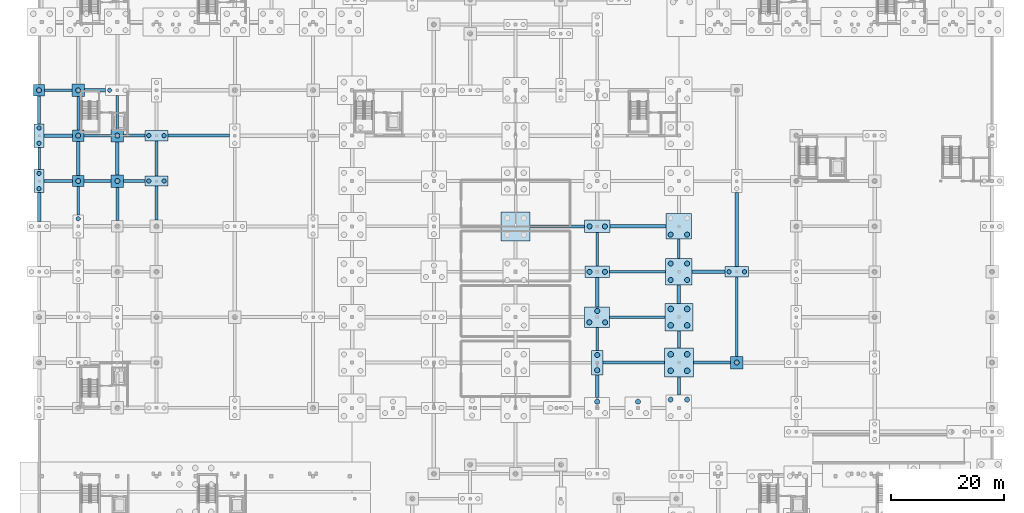
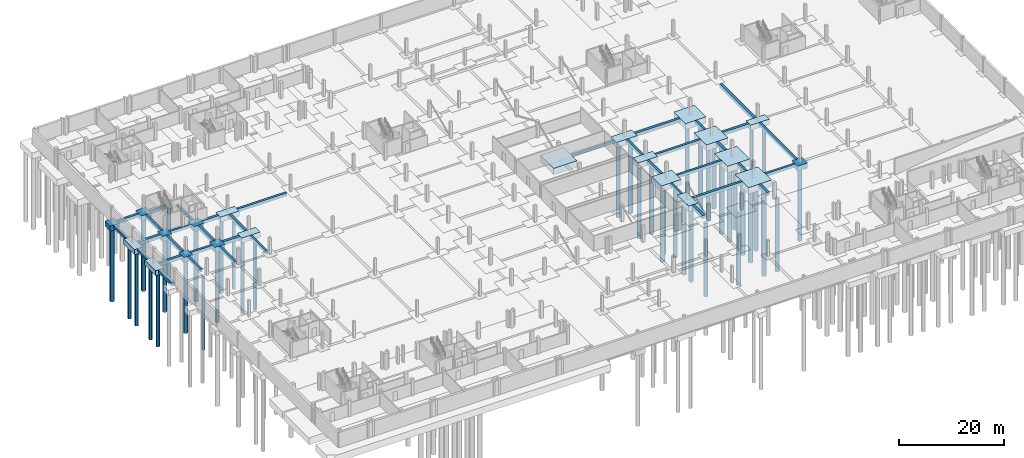
# One storey, part 4 of 38: 58 footings, 46 piles.
"""IFC4 building model written with IfcOpenShell, lengths in metres."""

from ifc_helpers import new_model, si_unit, direction, frame, origin, origin_2d, place, context, subcontext, project, spatial, rectangle, circle, extrude, material, material_profile, profile_set, type_object, element, save


model = new_model("IFC4")

# Units and contexts
model_context = context("Model", 3, precision=1e-05, world=origin(), true_north=direction((0.0, 1.0)))
body_context = subcontext(model_context, "Body", "Model", "MODEL_VIEW")
ifc_project = project(units=[si_unit("LENGTHUNIT", "METRE"), si_unit("AREAUNIT", "SQUARE_METRE"), si_unit("VOLUMEUNIT", "CUBIC_METRE"), si_unit("PLANEANGLEUNIT", "RADIAN"), si_unit("MASSUNIT", "GRAM", prefix="KILO")], contexts=[model_context])

# Site, building, storey
site_placement = place(None, origin())
site = spatial("IfcSite", under=ifc_project, at=site_placement, CompositionType="ELEMENT")
building_placement = place(site_placement, origin())
building = spatial("IfcBuilding", under=site, at=building_placement, Name="Zavelmont Quarter", CompositionType="ELEMENT")
storey_placement = place(building_placement, frame((0.0, 0.0, -3.800048828125)))
storey = spatial("IfcBuildingStorey", under=building, at=storey_placement, Name="B01", CompositionType="ELEMENT", Elevation=-3.800048828125)

# Footings
ifc_material = material(Name="Concrete C35/45", Category="concrete")
footing_type_1 = type_object("IfcFootingType", Name="GB01", PredefinedType="FOOTING_BEAM", material=ifc_material)
footing_1_placement = place(storey_placement, frame((118.625, 38.0, -0.69970703125), z_axis=(0.0, 0.0, 1.0), x_axis=(1.0, 0.0, 0.0)))
element("IfcFooting", 1, at=footing_1_placement, inside=storey, type_object=footing_type_1, Name="B01 ground beam GB01 at 18/G", PredefinedType="FOOTING_BEAM", context=body_context, shape_type="SweptSolid", body=[
    extrude(rectangle(XDim=6.550048828125, YDim=0.5, at=origin_2d()), origin(), (0.0, 0.0, 1.0), 0.699951171875),
])
footing_2_placement = place(storey_placement, frame((105.47509765625, 46.0, -0.69970703125), z_axis=(0.0, 0.0, 1.0), x_axis=(1.0, 0.0, 0.0)))
element("IfcFooting", 2, at=footing_2_placement, inside=storey, type_object=footing_type_1, Name="B01 ground beam GB01 at 16/H", PredefinedType="FOOTING_BEAM", context=body_context, shape_type="SweptSolid", body=[
    extrude(rectangle(XDim=9.75, YDim=0.5, at=origin_2d()), origin(), (0.0, 0.0, 1.0), 0.699951171875),
])
footing_3_placement = place(storey_placement, frame((105.5, 54.0, -0.69970703125), z_axis=(0.0, 0.0, 1.0), x_axis=(1.0, 0.0, 0.0)))
element("IfcFooting", 3, at=footing_3_placement, inside=storey, type_object=footing_type_1, Name="B01 ground beam GB01 at 16/J", PredefinedType="FOOTING_BEAM", context=body_context, shape_type="SweptSolid", body=[
    extrude(rectangle(XDim=9.89990234375, YDim=0.5, at=origin_2d()), origin(), (0.0, 0.0, 1.0), 0.699951171875),
])
footing_4_placement = place(storey_placement, frame((91.35009765625, 62.0, -0.69970703125), z_axis=(0.0, 0.0, 1.0), x_axis=(1.0, 0.0, 0.0)))
element("IfcFooting", 4, at=footing_4_placement, inside=storey, type_object=footing_type_1, Name="B01 ground beam GB01 at 14/K", PredefinedType="FOOTING_BEAM", context=body_context, shape_type="SweptSolid", body=[
    extrude(rectangle(XDim=9.60009765625, YDim=0.5, at=origin_2d()), origin(), (0.0, 0.0, 1.0), 0.699951171875),
])
footing_5_placement = place(storey_placement, frame((10.300048828125, 70.0, -0.69970703125), z_axis=(0.0, 0.0, 1.0), x_axis=(1.0, 0.0, 0.0)))
element("IfcFooting", 5, at=footing_5_placement, inside=storey, type_object=footing_type_1, Name="B01 ground beam GB01 at 2/L", PredefinedType="FOOTING_BEAM", context=body_context, shape_type="SweptSolid", body=[
    extrude(rectangle(XDim=4.800048828125, YDim=0.5, at=origin_2d()), origin(), (0.0, 0.0, 1.0), 0.699951171875),
])
footing_6_placement = place(storey_placement, frame((28.175048828125, 78.0, -0.69970703125), z_axis=(0.0, 0.0, 1.0), x_axis=(1.0, 0.0, 0.0)))
element("IfcFooting", 6, at=footing_6_placement, inside=storey, type_object=footing_type_1, Name="B01 ground beam GB01 at 5/M", PredefinedType="FOOTING_BEAM", context=body_context, shape_type="SweptSolid", body=[
    extrude(rectangle(XDim=10.85009765625, YDim=0.5, at=origin_2d()), origin(), (0.0, 0.0, 1.0), 0.699951171875),
])
footing_7_placement = place(storey_placement, frame((3.39990234375, 86.0, -0.69970703125), z_axis=(0.0, 0.0, 1.0), x_axis=(1.0, 0.0, 0.0)))
element("IfcFooting", 7, at=footing_7_placement, inside=storey, type_object=footing_type_1, Name="B01 ground beam GB01 at 1/N", PredefinedType="FOOTING_BEAM", context=body_context, shape_type="SweptSolid", body=[
    extrude(rectangle(XDim=4.800048828125, YDim=0.5, at=origin_2d()), origin(), (0.0, 0.0, 1.0), 0.699951171875),
])
for number, where, z_axis, x_axis, name in (
    (8, (6.89990234375, 81.949951171875, -0.69970703125), (0.0, 0.0, 1.0), (0.0, 1.0, 0.0), "B01 ground beam GB01 at 2/M"),
    (9, (13.800048828125, 65.949951171875, -0.69970703125), (0.0, 0.0, 1.0), (0.0, 1.0, 0.0), "B01 ground beam GB01 at 3/K"),
    (10, (98.39990234375, 57.949951171875, -0.69970703125), (0.0, 0.0, 1.0), (0.0, 1.0, 0.0), "B01 ground beam GB01 at 15/J"),
):
    element("IfcFooting", number, at=place(storey_placement, frame(where, z_axis=z_axis, x_axis=x_axis)), inside=storey, type_object=footing_type_1, Name=name, PredefinedType="FOOTING_BEAM", context=body_context, shape_type="SweptSolid", body=[
        extrude(rectangle(XDim=5.89990234375, YDim=0.5, at=origin_2d()), origin(), (0.0, 0.0, 1.0), 0.699951171875),
    ])
footing_8_placement = place(storey_placement, frame((112.800048828125, 42.050048828125, -0.69970703125), z_axis=(0.0, 0.0, 1.0), x_axis=(0.0, 1.0, 0.0)))
element("IfcFooting", 11, at=footing_8_placement, inside=storey, type_object=footing_type_1, Name="B01 ground beam GB01 at 17/H", PredefinedType="FOOTING_BEAM", context=body_context, shape_type="SweptSolid", body=[
    extrude(rectangle(XDim=3.0, YDim=0.5, at=origin_2d()), origin(), (0.0, 0.0, 1.0), 0.699951171875),
])
footing_9_placement = place(storey_placement, frame((123.0, 46.10009765625, -0.69970703125), z_axis=(0.0, 0.0, 1.0), x_axis=(0.0, 1.0, 0.0)))
element("IfcFooting", 12, at=footing_9_placement, inside=storey, type_object=footing_type_1, Name="B01 ground beam GB01 at 18/H", PredefinedType="FOOTING_BEAM", context=body_context, shape_type="SweptSolid", body=[
    extrude(rectangle(XDim=14.0, YDim=0.5, at=origin_2d()), origin(), (0.0, 0.0, 1.0), 0.699951171875),
])
footing_type_2 = type_object("IfcFootingType", Name="GB02", PredefinedType="FOOTING_BEAM", material=ifc_material)
footing_10_placement = place(storey_placement, frame((118.050048828125, 54.0, -0.7998046875), z_axis=(0.0, 0.0, 1.0), x_axis=(1.0, 0.0, 0.0)))
element("IfcFooting", 13, at=footing_10_placement, inside=storey, type_object=footing_type_2, Name="B01 ground beam GB02 at 18/J", PredefinedType="FOOTING_BEAM", context=body_context, shape_type="SweptSolid", body=[
    extrude(rectangle(XDim=5.800048828125, YDim=0.60009765625, at=origin_2d()), origin(), (0.0, 0.0, 1.0), 0.800048828125),
])
footing_11_placement = place(storey_placement, frame((105.60009765625, 62.0, -0.7998046875), z_axis=(0.0, 0.0, 1.0), x_axis=(1.0, 0.0, 0.0)))
element("IfcFooting", 14, at=footing_11_placement, inside=storey, type_object=footing_type_2, Name="B01 ground beam GB02 at 16/K", PredefinedType="FOOTING_BEAM", context=body_context, shape_type="SweptSolid", body=[
    extrude(rectangle(XDim=9.89990234375, YDim=0.60009765625, at=origin_2d()), origin(), (0.0, 0.0, 1.0), 0.800048828125),
])
footing_12_placement = place(storey_placement, frame((16.77490234375, 70.0, -0.7998046875), z_axis=(0.0, 0.0, 1.0), x_axis=(1.0, 0.0, 0.0)))
element("IfcFooting", 15, at=footing_12_placement, inside=storey, type_object=footing_type_2, Name="B01 ground beam GB02 at 3/L", PredefinedType="FOOTING_BEAM", context=body_context, shape_type="SweptSolid", body=[
    extrude(rectangle(XDim=3.75, YDim=0.60009765625, at=origin_2d()), origin(), (0.0, 0.0, 1.0), 0.800048828125),
])
footing_13_placement = place(storey_placement, frame((3.39990234375, 78.0, -0.7998046875), z_axis=(0.0, 0.0, 1.0), x_axis=(1.0, 0.0, 0.0)))
element("IfcFooting", 16, at=footing_13_placement, inside=storey, type_object=footing_type_2, Name="B01 ground beam GB02 at 1/M", PredefinedType="FOOTING_BEAM", context=body_context, shape_type="SweptSolid", body=[
    extrude(rectangle(XDim=5.0, YDim=0.60009765625, at=origin_2d()), origin(), (0.0, 0.0, 1.0), 0.800048828125),
])
footing_14_placement = place(storey_placement, frame((9.875, 86.0, -0.7998046875), z_axis=(0.0, 0.0, 1.0), x_axis=(1.0, 0.0, 0.0)))
element("IfcFooting", 17, at=footing_14_placement, inside=storey, type_object=footing_type_2, Name="B01 ground beam GB02 at 2/N", PredefinedType="FOOTING_BEAM", context=body_context, shape_type="SweptSolid", body=[
    extrude(rectangle(XDim=3.75, YDim=0.60009765625, at=origin_2d()), origin(), (0.0, 0.0, 1.0), 0.800048828125),
])
footing_15_placement = place(storey_placement, frame((0.0, 65.425048828125, -0.7998046875), z_axis=(0.0, 0.0, 1.0), x_axis=(0.0, 1.0, 0.0)))
element("IfcFooting", 18, at=footing_15_placement, inside=storey, type_object=footing_type_2, Name="B01 ground beam GB02 at 1/K", PredefinedType="FOOTING_BEAM", context=body_context, shape_type="SweptSolid", body=[
    extrude(rectangle(XDim=5.050048828125, YDim=0.60009765625, at=origin_2d()), origin(), (0.0, 0.0, 1.0), 0.800048828125),
])
footing_16_placement = place(storey_placement, frame((13.800048828125, 74.0, -0.7998046875), z_axis=(0.0, 0.0, 1.0), x_axis=(0.0, 1.0, 0.0)))
element("IfcFooting", 19, at=footing_16_placement, inside=storey, type_object=footing_type_2, Name="B01 ground beam GB02 at 3/L", PredefinedType="FOOTING_BEAM", context=body_context, shape_type="SweptSolid", body=[
    extrude(rectangle(XDim=5.800048828125, YDim=0.60009765625, at=origin_2d()), origin(), (0.0, 0.0, 1.0), 0.800048828125),
])
footing_17_placement = place(storey_placement, frame((98.39990234375, 33.824951171875, -0.7998046875), z_axis=(0.0, 0.0, 1.0), x_axis=(0.0, 1.0, 0.0)))
element("IfcFooting", 20, at=footing_17_placement, inside=storey, type_object=footing_type_2, Name="B01 ground beam GB02 at 15/F", PredefinedType="FOOTING_BEAM", context=body_context, shape_type="SweptSolid", body=[
    extrude(rectangle(XDim=4.050048828125, YDim=0.60009765625, at=origin_2d()), origin(), (0.0, 0.0, 1.0), 0.800048828125),
])
footing_18_placement = place(storey_placement, frame((112.800048828125, 50.050048828125, -0.7998046875), z_axis=(0.0, 0.0, 1.0), x_axis=(0.0, 1.0, 0.0)))
element("IfcFooting", 21, at=footing_18_placement, inside=storey, type_object=footing_type_2, Name="B01 ground beam GB02 at 17/J", PredefinedType="FOOTING_BEAM", context=body_context, shape_type="SweptSolid", body=[
    extrude(rectangle(XDim=3.199951171875, YDim=0.60009765625, at=origin_2d()), origin(), (0.0, 0.0, 1.0), 0.800048828125),
])
footing_19_placement = place(storey_placement, frame((123.0, 61.425048828125, -0.7998046875), z_axis=(0.0, 0.0, 1.0), x_axis=(0.0, 1.0, 0.0)))
element("IfcFooting", 22, at=footing_19_placement, inside=storey, type_object=footing_type_2, Name="B01 ground beam GB02 at 18/K", PredefinedType="FOOTING_BEAM", context=body_context, shape_type="SweptSolid", body=[
    extrude(rectangle(XDim=13.050048828125, YDim=0.60009765625, at=origin_2d()), origin(), (0.0, 0.0, 1.0), 0.800048828125),
])
footing_type_3 = type_object("IfcFootingType", Name="GB03", PredefinedType="FOOTING_BEAM", material=ifc_material)
footing_20_placement = place(storey_placement, frame((10.300048828125, 78.0, -0.64990234375), z_axis=(0.0, 0.0, 1.0), x_axis=(1.0, 0.0, 0.0)))
element("IfcFooting", 23, at=footing_20_placement, inside=storey, type_object=footing_type_3, Name="B01 ground beam GB03 at 2/M", PredefinedType="FOOTING_BEAM", context=body_context, shape_type="SweptSolid", body=[
    extrude(rectangle(XDim=4.800048828125, YDim=0.449951171875, at=origin_2d()), origin(), (0.0, 0.0, 1.0), 0.64990234375),
])
footing_21_placement = place(storey_placement, frame((0.0, 74.0, -0.64990234375), z_axis=(0.0, 0.0, 1.0), x_axis=(0.0, 1.0, 0.0)))
element("IfcFooting", 24, at=footing_21_placement, inside=storey, type_object=footing_type_3, Name="B01 ground beam GB03 at 1/L", PredefinedType="FOOTING_BEAM", context=body_context, shape_type="SweptSolid", body=[
    extrude(rectangle(XDim=3.89990234375, YDim=0.449951171875, at=origin_2d()), origin(), (0.0, 0.0, 1.0), 0.64990234375),
])
footing_22_placement = place(storey_placement, frame((6.89990234375, 66.52490234375, -0.64990234375), z_axis=(0.0, 0.0, 1.0), x_axis=(0.0, 1.0, 0.0)))
element("IfcFooting", 25, at=footing_22_placement, inside=storey, type_object=footing_type_3, Name="B01 ground beam GB03 at 2/L", PredefinedType="FOOTING_BEAM", context=body_context, shape_type="SweptSolid", body=[
    extrude(rectangle(XDim=4.949951171875, YDim=0.449951171875, at=origin_2d()), origin(), (0.0, 0.0, 1.0), 0.64990234375),
])
for number, where, z_axis, x_axis, name in (
    (26, (13.800048828125, 82.10009765625, -0.64990234375), (0.0, 0.0, 1.0), (0.0, 1.0, 0.0), "B01 ground beam GB03 at 3/N"),
    (27, (20.699951171875, 66.10009765625, -0.64990234375), (0.0, 0.0, 1.0), (0.0, 1.0, 0.0), "B01 ground beam GB03 at 4/L"),
):
    element("IfcFooting", number, at=place(storey_placement, frame(where, z_axis=z_axis, x_axis=x_axis)), inside=storey, type_object=footing_type_3, Name=name, PredefinedType="FOOTING_BEAM", context=body_context, shape_type="SweptSolid", body=[
        extrude(rectangle(XDim=6.0, YDim=0.449951171875, at=origin_2d()), origin(), (0.0, 0.0, 1.0), 0.64990234375),
    ])
footing_23_placement = place(storey_placement, frame((98.39990234375, 42.175048828125, -0.64990234375), z_axis=(0.0, 0.0, 1.0), x_axis=(0.0, 1.0, 0.0)))
element("IfcFooting", 28, at=footing_23_placement, inside=storey, type_object=footing_type_3, Name="B01 ground beam GB03 at 15/H", PredefinedType="FOOTING_BEAM", context=body_context, shape_type="SweptSolid", body=[
    extrude(rectangle(XDim=4.050048828125, YDim=0.449951171875, at=origin_2d()), origin(), (0.0, 0.0, 1.0), 0.64990234375),
])
footing_24_placement = place(storey_placement, frame((112.800048828125, 58.050048828125, -0.64990234375), z_axis=(0.0, 0.0, 1.0), x_axis=(0.0, 1.0, 0.0)))
element("IfcFooting", 29, at=footing_24_placement, inside=storey, type_object=footing_type_3, Name="B01 ground beam GB03 at 17/K", PredefinedType="FOOTING_BEAM", context=body_context, shape_type="SweptSolid", body=[
    extrude(rectangle(XDim=3.39990234375, YDim=0.449951171875, at=origin_2d()), origin(), (0.0, 0.0, 1.0), 0.64990234375),
])
footing_type_4 = type_object("IfcFootingType", Name="GB04", PredefinedType="FOOTING_BEAM", material=ifc_material)
footing_25_placement = place(storey_placement, frame((104.824951171875, 38.0, -0.75), z_axis=(0.0, 0.0, 1.0), x_axis=(1.0, 0.0, 0.0)))
element("IfcFooting", 30, at=footing_25_placement, inside=storey, type_object=footing_type_4, Name="B01 ground beam GB04 at 16/G", PredefinedType="FOOTING_BEAM", context=body_context, shape_type="SweptSolid", body=[
    extrude(rectangle(XDim=10.85009765625, YDim=0.550048828125, at=origin_2d()), origin(), (0.0, 0.0, 1.0), 0.75),
])
footing_26_placement = place(storey_placement, frame((3.39990234375, 70.0, -0.75), z_axis=(0.0, 0.0, 1.0), x_axis=(1.0, 0.0, 0.0)))
element("IfcFooting", 31, at=footing_26_placement, inside=storey, type_object=footing_type_4, Name="B01 ground beam GB04 at 1/L", PredefinedType="FOOTING_BEAM", context=body_context, shape_type="SweptSolid", body=[
    extrude(rectangle(XDim=5.0, YDim=0.550048828125, at=origin_2d()), origin(), (0.0, 0.0, 1.0), 0.75),
])
footing_27_placement = place(storey_placement, frame((16.77490234375, 78.0, -0.75), z_axis=(0.0, 0.0, 1.0), x_axis=(1.0, 0.0, 0.0)))
element("IfcFooting", 32, at=footing_27_placement, inside=storey, type_object=footing_type_4, Name="B01 ground beam GB04 at 3/M", PredefinedType="FOOTING_BEAM", context=body_context, shape_type="SweptSolid", body=[
    extrude(rectangle(XDim=3.75, YDim=0.550048828125, at=origin_2d()), origin(), (0.0, 0.0, 1.0), 0.75),
])
footing_28_placement = place(storey_placement, frame((0.0, 82.52490234375, -0.75), z_axis=(0.0, 0.0, 1.0), x_axis=(0.0, 1.0, 0.0)))
element("IfcFooting", 33, at=footing_28_placement, inside=storey, type_object=footing_type_4, Name="B01 ground beam GB04 at 1/N", PredefinedType="FOOTING_BEAM", context=body_context, shape_type="SweptSolid", body=[
    extrude(rectangle(XDim=4.949951171875, YDim=0.550048828125, at=origin_2d()), origin(), (0.0, 0.0, 1.0), 0.75),
])
footing_29_placement = place(storey_placement, frame((6.89990234375, 74.0, -0.75), z_axis=(0.0, 0.0, 1.0), x_axis=(0.0, 1.0, 0.0)))
element("IfcFooting", 34, at=footing_29_placement, inside=storey, type_object=footing_type_4, Name="B01 ground beam GB04 at 2/L", PredefinedType="FOOTING_BEAM", context=body_context, shape_type="SweptSolid", body=[
    extrude(rectangle(XDim=6.0, YDim=0.550048828125, at=origin_2d()), origin(), (0.0, 0.0, 1.0), 0.75),
])
footing_30_placement = place(storey_placement, frame((20.699951171875, 74.0, -0.75), z_axis=(0.0, 0.0, 1.0), x_axis=(0.0, 1.0, 0.0)))
element("IfcFooting", 35, at=footing_30_placement, inside=storey, type_object=footing_type_4, Name="B01 ground beam GB04 at 4/L", PredefinedType="FOOTING_BEAM", context=body_context, shape_type="SweptSolid", body=[
    extrude(rectangle(XDim=6.199951171875, YDim=0.550048828125, at=origin_2d()), origin(), (0.0, 0.0, 1.0), 0.75),
])
footing_31_placement = place(storey_placement, frame((98.39990234375, 50.39990234375, -0.75), z_axis=(0.0, 0.0, 1.0), x_axis=(0.0, 1.0, 0.0)))
element("IfcFooting", 36, at=footing_31_placement, inside=storey, type_object=footing_type_4, Name="B01 ground beam GB04 at 15/J", PredefinedType="FOOTING_BEAM", context=body_context, shape_type="SweptSolid", body=[
    extrude(rectangle(XDim=5.199951171875, YDim=0.550048828125, at=origin_2d()), origin(), (0.0, 0.0, 1.0), 0.75),
])
footing_32_placement = place(storey_placement, frame((112.800048828125, 33.85009765625, -0.75), z_axis=(0.0, 0.0, 1.0), x_axis=(0.0, 1.0, 0.0)))
element("IfcFooting", 37, at=footing_32_placement, inside=storey, type_object=footing_type_4, Name="B01 ground beam GB04 at 17/F", PredefinedType="FOOTING_BEAM", context=body_context, shape_type="SweptSolid", body=[
    extrude(rectangle(XDim=3.199951171875, YDim=0.550048828125, at=origin_2d()), origin(), (0.0, 0.0, 1.0), 0.75),
])

# Piles
ifc_material_profile_1 = material_profile(ifc_material, circle(Radius=0.5, at=origin_2d()), Name="BP1000")
ifc_profile_set_1 = profile_set([ifc_material_profile_1], Name="Concrete C35/45")
pile_type_1 = type_object("IfcPileType", Name="P01", PredefinedType="BORED", material=ifc_profile_set_1)
for number, where, z_axis, x_axis, name in (
    (38, (111.35009765625, 36.550048828125, -1.39990234375), (0.0, 0.0, -1.0), (1.0, 0.0, 0.0), "B01 bored pile P01 under CAP-074.1"),
    (39, (114.25, 36.550048828125, -1.39990234375), (0.0, 0.0, -1.0), (1.0, 0.0, 0.0), "B01 bored pile P01 under CAP-074.2"),
    (40, (114.25, 39.449951171875, -1.39990234375), (0.0, 0.0, -1.0), (1.0, 0.0, 0.0), "B01 bored pile P01 under CAP-074.3"),
    (41, (111.35009765625, 39.449951171875, -1.39990234375), (0.0, 0.0, -1.0), (1.0, 0.0, 0.0), "B01 bored pile P01 under CAP-074.4"),
    (42, (111.35009765625, 44.550048828125, -1.39990234375), (0.0, 0.0, -1.0), (1.0, 0.0, 0.0), "B01 bored pile P01 under CAP-089.1"),
    (43, (114.25, 44.550048828125, -1.39990234375), (0.0, 0.0, -1.0), (1.0, 0.0, 0.0), "B01 bored pile P01 under CAP-089.2"),
    (44, (114.25, 47.449951171875, -1.39990234375), (0.0, 0.0, -1.0), (1.0, 0.0, 0.0), "B01 bored pile P01 under CAP-089.3"),
    (45, (111.35009765625, 47.449951171875, -1.39990234375), (0.0, 0.0, -1.0), (1.0, 0.0, 0.0), "B01 bored pile P01 under CAP-089.4"),
):
    element("IfcPile", number, at=place(storey_placement, frame(where, z_axis=z_axis, x_axis=x_axis)), inside=storey, type_object=pile_type_1, Name=name, PredefinedType="BORED", context=body_context, shape_type="SweptSolid", body=[
        extrude(circle(Radius=0.5, at=origin_2d()), origin(), (0.0, 0.0, 1.0), 16.800048828125),
    ])
ifc_material_profile_2 = material_profile(ifc_material, circle(Radius=0.449951171875, at=origin_2d()), Name="BP900")
ifc_profile_set_2 = profile_set([ifc_material_profile_2], Name="Concrete C35/45")
pile_type_2 = type_object("IfcPileType", Name="P02", PredefinedType="BORED", material=ifc_profile_set_2)
for number, where, z_axis, x_axis, name in (
    (46, (105.60009765625, 31.10009765625, -1.300048828125), (0.0, 0.0, -1.0), (1.0, 0.0, 0.0), "B01 bored pile P02 under CAP-062.3"),
    (47, (114.25, 31.449951171875, -1.300048828125), (0.0, 0.0, -1.0), (1.0, 0.0, 0.0), "B01 bored pile P02 under CAP-063.3"),
    (48, (111.35009765625, 31.449951171875, -1.300048828125), (0.0, 0.0, -1.0), (1.0, 0.0, 0.0), "B01 bored pile P02 under CAP-063.4"),
    (49, (111.35009765625, 52.550048828125, -1.300048828125), (0.0, 0.0, -1.0), (1.0, 0.0, 0.0), "B01 bored pile P02 under CAP-101.1"),
    (50, (114.25, 52.550048828125, -1.300048828125), (0.0, 0.0, -1.0), (1.0, 0.0, 0.0), "B01 bored pile P02 under CAP-101.2"),
    (51, (114.25, 55.449951171875, -1.300048828125), (0.0, 0.0, -1.0), (1.0, 0.0, 0.0), "B01 bored pile P02 under CAP-101.3"),
    (52, (111.35009765625, 55.449951171875, -1.300048828125), (0.0, 0.0, -1.0), (1.0, 0.0, 0.0), "B01 bored pile P02 under CAP-101.4"),
    (53, (111.35009765625, 60.550048828125, -1.300048828125), (0.0, 0.0, -1.0), (1.0, 0.0, 0.0), "B01 bored pile P02 under CAP-116.1"),
    (54, (114.25, 60.550048828125, -1.300048828125), (0.0, 0.0, -1.0), (1.0, 0.0, 0.0), "B01 bored pile P02 under CAP-116.2"),
):
    element("IfcPile", number, at=place(storey_placement, frame(where, z_axis=z_axis, x_axis=x_axis)), inside=storey, type_object=pile_type_2, Name=name, PredefinedType="BORED", context=body_context, shape_type="SweptSolid", body=[
        extrude(circle(Radius=0.449951171875, at=origin_2d()), origin(), (0.0, 0.0, 1.0), 16.89990234375),
    ])
ifc_material_profile_3 = material_profile(ifc_material, circle(Radius=0.449951171875, at=origin_2d()), Name="BP900")
ifc_profile_set_3 = profile_set([ifc_material_profile_3], Name="Concrete C35/45")
pile_type_3 = type_object("IfcPileType", Name="P03", PredefinedType="BORED", material=ifc_profile_set_3)
for number, where, z_axis, x_axis, name in (
    (55, (98.39990234375, 31.10009765625, -1.199951171875), (0.0, 0.0, -1.0), (1.0, 0.0, 0.0), "B01 bored pile P03 under CAP-061.3"),
    (56, (98.39990234375, 36.64990234375, -1.199951171875), (0.0, 0.0, -1.0), (1.0, 0.0, 0.0), "B01 bored pile P03 under CAP-073.1"),
    (57, (98.39990234375, 39.35009765625, -1.199951171875), (0.0, 0.0, -1.0), (1.0, 0.0, 0.0), "B01 bored pile P03 under CAP-073.2"),
    (58, (97.0, 45.10009765625, -1.199951171875), (0.0, 0.0, -1.0), (1.0, 0.0, 0.0), "B01 bored pile P03 under CAP-088.1"),
    (59, (99.800048828125, 45.10009765625, -1.199951171875), (0.0, 0.0, -1.0), (1.0, 0.0, 0.0), "B01 bored pile P03 under CAP-088.2"),
    (60, (98.39990234375, 47.10009765625, -1.199951171875), (0.0, 0.0, -1.0), (1.0, 0.0, 0.0), "B01 bored pile P03 under CAP-088.3"),
    (61, (97.050048828125, 54.0, -1.199951171875), (0.0, 0.0, -1.0), (1.0, 0.0, 0.0), "B01 bored pile P03 under CAP-100.1"),
    (62, (99.75, 54.0, -1.199951171875), (0.0, 0.0, -1.0), (1.0, 0.0, 0.0), "B01 bored pile P03 under CAP-100.2"),
    (63, (97.050048828125, 62.0, -1.199951171875), (0.0, 0.0, -1.0), (1.0, 0.0, 0.0), "B01 bored pile P03 under CAP-115.1"),
    (64, (99.75, 62.0, -1.199951171875), (0.0, 0.0, -1.0), (1.0, 0.0, 0.0), "B01 bored pile P03 under CAP-115.2"),
):
    element("IfcPile", number, at=place(storey_placement, frame(where, z_axis=z_axis, x_axis=x_axis)), inside=storey, type_object=pile_type_3, Name=name, PredefinedType="BORED", context=body_context, shape_type="SweptSolid", body=[
        extrude(circle(Radius=0.449951171875, at=origin_2d()), origin(), (0.0, 0.0, 1.0), 17.0),
    ])
ifc_material_profile_4 = material_profile(ifc_material, circle(Radius=0.449951171875, at=origin_2d()), Name="BP900")
ifc_profile_set_4 = profile_set([ifc_material_profile_4], Name="Concrete C35/45")
pile_type_4 = type_object("IfcPileType", Name="P04", PredefinedType="BORED", material=ifc_profile_set_4)
for number, where, z_axis, x_axis, name in (
    (65, (123.0, 38.0, -1.099853515625), (0.0, 0.0, -1.0), (1.0, 0.0, 0.0), "B01 bored pile P04 under CAP-075.1"),
    (66, (6.89990234375, 70.0, -1.099853515625), (0.0, 0.0, -1.0), (1.0, 0.0, 0.0), "B01 bored pile P04 under CAP-121.1"),
    (67, (13.800048828125, 70.0, -1.099853515625), (0.0, 0.0, -1.0), (1.0, 0.0, 0.0), "B01 bored pile P04 under CAP-122.1"),
    (68, (6.89990234375, 78.0, -1.099853515625), (0.0, 0.0, -1.0), (1.0, 0.0, 0.0), "B01 bored pile P04 under CAP-134.1"),
    (69, (13.800048828125, 78.0, -1.099853515625), (0.0, 0.0, -1.0), (1.0, 0.0, 0.0), "B01 bored pile P04 under CAP-135.1"),
    (70, (0.0, 86.0, -1.099853515625), (0.0, 0.0, -1.0), (1.0, 0.0, 0.0), "B01 bored pile P04 under CAP-147.1"),
    (71, (6.89990234375, 86.0, -1.099853515625), (0.0, 0.0, -1.0), (1.0, 0.0, 0.0), "B01 bored pile P04 under CAP-148.1"),
):
    element("IfcPile", number, at=place(storey_placement, frame(where, z_axis=z_axis, x_axis=x_axis)), inside=storey, type_object=pile_type_4, Name=name, PredefinedType="BORED", context=body_context, shape_type="SweptSolid", body=[
        extrude(circle(Radius=0.449951171875, at=origin_2d()), origin(), (0.0, 0.0, 1.0), 17.10009765625),
    ])
ifc_material_profile_5 = material_profile(ifc_material, circle(Radius=0.375, at=origin_2d()), Name="BP750")
ifc_profile_set_5 = profile_set([ifc_material_profile_5], Name="Concrete C35/45")
pile_type_5 = type_object("IfcPileType", Name="P05", PredefinedType="BORED", material=ifc_profile_set_5)
for number, where, z_axis, x_axis, name in (
    (72, (121.64990234375, 54.0, -1.099853515625), (0.0, 0.0, -1.0), (1.0, 0.0, 0.0), "B01 bored pile P05 under CAP-102.1"),
    (73, (124.35009765625, 54.0, -1.099853515625), (0.0, 0.0, -1.0), (1.0, 0.0, 0.0), "B01 bored pile P05 under CAP-102.2"),
    (74, (6.89990234375, 63.35009765625, -1.099853515625), (0.0, 0.0, -1.0), (1.0, 0.0, 0.0), "B01 bored pile P05 under CAP-107.2"),
    (75, (0.0, 68.64990234375, -1.099853515625), (0.0, 0.0, -1.0), (1.0, 0.0, 0.0), "B01 bored pile P05 under CAP-120.1"),
    (76, (0.0, 71.35009765625, -1.099853515625), (0.0, 0.0, -1.0), (1.0, 0.0, 0.0), "B01 bored pile P05 under CAP-120.2"),
    (77, (19.35009765625, 70.0, -1.099853515625), (0.0, 0.0, -1.0), (1.0, 0.0, 0.0), "B01 bored pile P05 under CAP-123.1"),
    (78, (22.050048828125, 70.0, -1.099853515625), (0.0, 0.0, -1.0), (1.0, 0.0, 0.0), "B01 bored pile P05 under CAP-123.2"),
    (79, (0.0, 76.64990234375, -1.099853515625), (0.0, 0.0, -1.0), (1.0, 0.0, 0.0), "B01 bored pile P05 under CAP-133.1"),
    (80, (0.0, 79.35009765625, -1.099853515625), (0.0, 0.0, -1.0), (1.0, 0.0, 0.0), "B01 bored pile P05 under CAP-133.2"),
    (81, (19.35009765625, 78.0, -1.099853515625), (0.0, 0.0, -1.0), (1.0, 0.0, 0.0), "B01 bored pile P05 under CAP-136.1"),
    (82, (22.050048828125, 78.0, -1.099853515625), (0.0, 0.0, -1.0), (1.0, 0.0, 0.0), "B01 bored pile P05 under CAP-136.2"),
    (83, (12.449951171875, 86.0, -1.099853515625), (0.0, 0.0, -1.0), (1.0, 0.0, 0.0), "B01 bored pile P05 under CAP-149.1"),
):
    element("IfcPile", number, at=place(storey_placement, frame(where, z_axis=z_axis, x_axis=x_axis)), inside=storey, type_object=pile_type_5, Name=name, PredefinedType="BORED", context=body_context, shape_type="SweptSolid", body=[
        extrude(circle(Radius=0.375, at=origin_2d()), origin(), (0.0, 0.0, 1.0), 17.10009765625),
    ])

# Footings
footing_type_5 = type_object("IfcFootingType", Name="PC03", PredefinedType="PILE_CAP", material=ifc_material)
for number, where, z_axis, x_axis, name in (
    (84, (6.89990234375, 70.0, -1.19970703125), (0.0, 0.0, 1.0), (1.0, 0.0, 0.0), "B01 pile cap PC03 at 2/L"),
    (85, (6.89990234375, 78.0, -1.19970703125), (0.0, 0.0, 1.0), (1.0, 0.0, 0.0), "B01 pile cap PC03 at 2/M"),
    (86, (0.0, 86.0, -1.19970703125), (0.0, 0.0, 1.0), (1.0, 0.0, 0.0), "B01 pile cap PC03 at 1/N"),
):
    element("IfcFooting", number, at=place(storey_placement, frame(where, z_axis=z_axis, x_axis=x_axis)), inside=storey, type_object=footing_type_5, Name=name, PredefinedType="PILE_CAP", context=body_context, shape_type="SweptSolid", body=[
        extrude(rectangle(XDim=2.0, YDim=2.0, at=origin_2d()), origin(), (0.0, 0.0, 1.0), 1.199951171875),
    ])
footing_type_6 = type_object("IfcFootingType", Name="PC04", PredefinedType="PILE_CAP", material=ifc_material)
for number, where, z_axis, x_axis, name in (
    (87, (123.0, 38.0, -1.19970703125), (0.0, 0.0, 1.0), (1.0, 0.0, 0.0), "B01 pile cap PC04 at 18/G"),
    (88, (13.800048828125, 70.0, -1.19970703125), (0.0, 0.0, 1.0), (1.0, 0.0, 0.0), "B01 pile cap PC04 at 3/L"),
    (89, (13.800048828125, 78.0, -1.19970703125), (0.0, 0.0, 1.0), (1.0, 0.0, 0.0), "B01 pile cap PC04 at 3/M"),
    (90, (6.89990234375, 86.0, -1.19970703125), (0.0, 0.0, 1.0), (1.0, 0.0, 0.0), "B01 pile cap PC04 at 2/N"),
):
    element("IfcFooting", number, at=place(storey_placement, frame(where, z_axis=z_axis, x_axis=x_axis)), inside=storey, type_object=footing_type_6, Name=name, PredefinedType="PILE_CAP", context=body_context, shape_type="SweptSolid", body=[
        extrude(rectangle(XDim=2.199951171875, YDim=2.199951171875, at=origin_2d()), origin(), (0.0, 0.0, 1.0), 1.199951171875),
    ])
footing_type_7 = type_object("IfcFootingType", Name="PC05", PredefinedType="PILE_CAP", material=ifc_material)
for number, where, z_axis, x_axis, name in (
    (91, (123.0, 54.0, -1.19970703125), (0.0, 0.0, 1.0), (1.0, 0.0, 0.0), "B01 pile cap PC05 at 18/J"),
    (92, (20.699951171875, 70.0, -1.19970703125), (0.0, 0.0, 1.0), (1.0, 0.0, 0.0), "B01 pile cap PC05 at 4/L"),
    (93, (20.699951171875, 78.0, -1.19970703125), (0.0, 0.0, 1.0), (1.0, 0.0, 0.0), "B01 pile cap PC05 at 4/M"),
):
    element("IfcFooting", number, at=place(storey_placement, frame(where, z_axis=z_axis, x_axis=x_axis)), inside=storey, type_object=footing_type_7, Name=name, PredefinedType="PILE_CAP", context=body_context, shape_type="SweptSolid", body=[
        extrude(rectangle(XDim=4.10009765625, YDim=1.800048828125, at=origin_2d()), origin(), (0.0, 0.0, 1.0), 1.199951171875),
    ])
footing_type_8 = type_object("IfcFootingType", Name="PC06", PredefinedType="PILE_CAP", material=ifc_material)
for number, where, z_axis, x_axis, name in (
    (94, (0.0, 70.0, -1.19970703125), (0.0, 0.0, 1.0), (1.0, 0.0, 0.0), "B01 pile cap PC06 at 1/L"),
    (95, (0.0, 78.0, -1.19970703125), (0.0, 0.0, 1.0), (1.0, 0.0, 0.0), "B01 pile cap PC06 at 1/M"),
):
    element("IfcFooting", number, at=place(storey_placement, frame(where, z_axis=z_axis, x_axis=x_axis)), inside=storey, type_object=footing_type_8, Name=name, PredefinedType="PILE_CAP", context=body_context, shape_type="SweptSolid", body=[
        extrude(rectangle(XDim=1.800048828125, YDim=4.10009765625, at=origin_2d()), origin(), (0.0, 0.0, 1.0), 1.199951171875),
    ])
footing_type_9 = type_object("IfcFootingType", Name="PC07", PredefinedType="PILE_CAP", material=ifc_material)
footing_33_placement = place(storey_placement, frame((98.39990234375, 54.0, -1.2998046875), z_axis=(0.0, 0.0, 1.0), x_axis=(1.0, 0.0, 0.0)))
element("IfcFooting", 96, at=footing_33_placement, inside=storey, type_object=footing_type_9, Name="B01 pile cap PC07 at 15/J", PredefinedType="PILE_CAP", context=body_context, shape_type="SweptSolid", body=[
    extrude(rectangle(XDim=4.300048828125, YDim=2.0, at=origin_2d()), origin(), (0.0, 0.0, 1.0), 1.300048828125),
])
footing_type_10 = type_object("IfcFootingType", Name="PC08", PredefinedType="PILE_CAP", material=ifc_material)
footing_34_placement = place(storey_placement, frame((98.39990234375, 38.0, -1.2998046875), z_axis=(0.0, 0.0, 1.0), x_axis=(1.0, 0.0, 0.0)))
element("IfcFooting", 97, at=footing_34_placement, inside=storey, type_object=footing_type_10, Name="B01 pile cap PC08 at 15/G", PredefinedType="PILE_CAP", context=body_context, shape_type="SweptSolid", body=[
    extrude(rectangle(XDim=2.0, YDim=4.300048828125, at=origin_2d()), origin(), (0.0, 0.0, 1.0), 1.300048828125),
])
footing_type_11 = type_object("IfcFootingType", Name="PC09", PredefinedType="PILE_CAP", material=ifc_material)
footing_35_placement = place(storey_placement, frame((98.39990234375, 62.0, -1.2998046875), z_axis=(0.0, 0.0, 1.0), x_axis=(1.0, 0.0, 0.0)))
element("IfcFooting", 98, at=footing_35_placement, inside=storey, type_object=footing_type_11, Name="B01 pile cap PC09 at 15/K", PredefinedType="PILE_CAP", context=body_context, shape_type="SweptSolid", body=[
    extrude(rectangle(XDim=4.5, YDim=2.199951171875, at=origin_2d()), origin(), (0.0, 0.0, 1.0), 1.300048828125),
])
footing_type_12 = type_object("IfcFootingType", Name="PC10", PredefinedType="PILE_CAP", material=ifc_material)
footing_36_placement = place(storey_placement, frame((98.39990234375, 46.0, -1.2998046875), z_axis=(0.0, 0.0, 1.0), x_axis=(1.0, 0.0, 0.0)))
element("IfcFooting", 99, at=footing_36_placement, inside=storey, type_object=footing_type_12, Name="B01 pile cap PC10 at 15/H", PredefinedType="PILE_CAP", context=body_context, shape_type="SweptSolid", body=[
    extrude(rectangle(XDim=4.39990234375, YDim=3.60009765625, at=origin_2d()), origin(), (0.0, 0.0, 1.0), 1.300048828125),
])
footing_type_13 = type_object("IfcFootingType", Name="PC12", PredefinedType="PILE_CAP", material=ifc_material)
footing_37_placement = place(storey_placement, frame((112.800048828125, 62.0, -1.39990234375), z_axis=(0.0, 0.0, 1.0), x_axis=(1.0, 0.0, 0.0)))
element("IfcFooting", 100, at=footing_37_placement, inside=storey, type_object=footing_type_13, Name="B01 pile cap PC12 at 17/K", PredefinedType="PILE_CAP", context=body_context, shape_type="SweptSolid", body=[
    extrude(rectangle(XDim=4.5, YDim=4.5, at=origin_2d()), origin(), (0.0, 0.0, 1.0), 1.39990234375),
])
footing_type_14 = type_object("IfcFootingType", Name="PC13", PredefinedType="PILE_CAP", material=ifc_material)
footing_38_placement = place(storey_placement, frame((112.800048828125, 54.0, -1.39990234375), z_axis=(0.0, 0.0, 1.0), x_axis=(1.0, 0.0, 0.0)))
element("IfcFooting", 101, at=footing_38_placement, inside=storey, type_object=footing_type_14, Name="B01 pile cap PC13 at 17/J", PredefinedType="PILE_CAP", context=body_context, shape_type="SweptSolid", body=[
    extrude(rectangle(XDim=4.699951171875, YDim=4.699951171875, at=origin_2d()), origin(), (0.0, 0.0, 1.0), 1.39990234375),
])
footing_type_15 = type_object("IfcFootingType", Name="PC14", PredefinedType="PILE_CAP", material=ifc_material)
footing_39_placement = place(storey_placement, frame((112.800048828125, 46.0, -1.5), z_axis=(0.0, 0.0, 1.0), x_axis=(1.0, 0.0, 0.0)))
element("IfcFooting", 102, at=footing_39_placement, inside=storey, type_object=footing_type_15, Name="B01 pile cap PC14 at 17/H", PredefinedType="PILE_CAP", context=body_context, shape_type="SweptSolid", body=[
    extrude(rectangle(XDim=4.89990234375, YDim=4.89990234375, at=origin_2d()), origin(), (0.0, 0.0, 1.0), 1.5),
])
footing_type_16 = type_object("IfcFootingType", Name="PC15", PredefinedType="PILE_CAP", material=ifc_material)
for number, where, z_axis, x_axis, name in (
    (103, (112.800048828125, 38.0, -1.5), (0.0, 0.0, 1.0), (1.0, 0.0, 0.0), "B01 pile cap PC15 at 17/G"),
    (104, (84.0, 62.0, -1.5), (0.0, 0.0, 1.0), (1.0, 0.0, 0.0), "B01 pile cap PC15 at 13/K"),
):
    element("IfcFooting", number, at=place(storey_placement, frame(where, z_axis=z_axis, x_axis=x_axis)), inside=storey, type_object=footing_type_16, Name=name, PredefinedType="PILE_CAP", context=body_context, shape_type="SweptSolid", body=[
        extrude(rectangle(XDim=5.10009765625, YDim=5.10009765625, at=origin_2d()), origin(), (0.0, 0.0, 1.0), 1.5),
    ])

save(model, "model.ifc")
